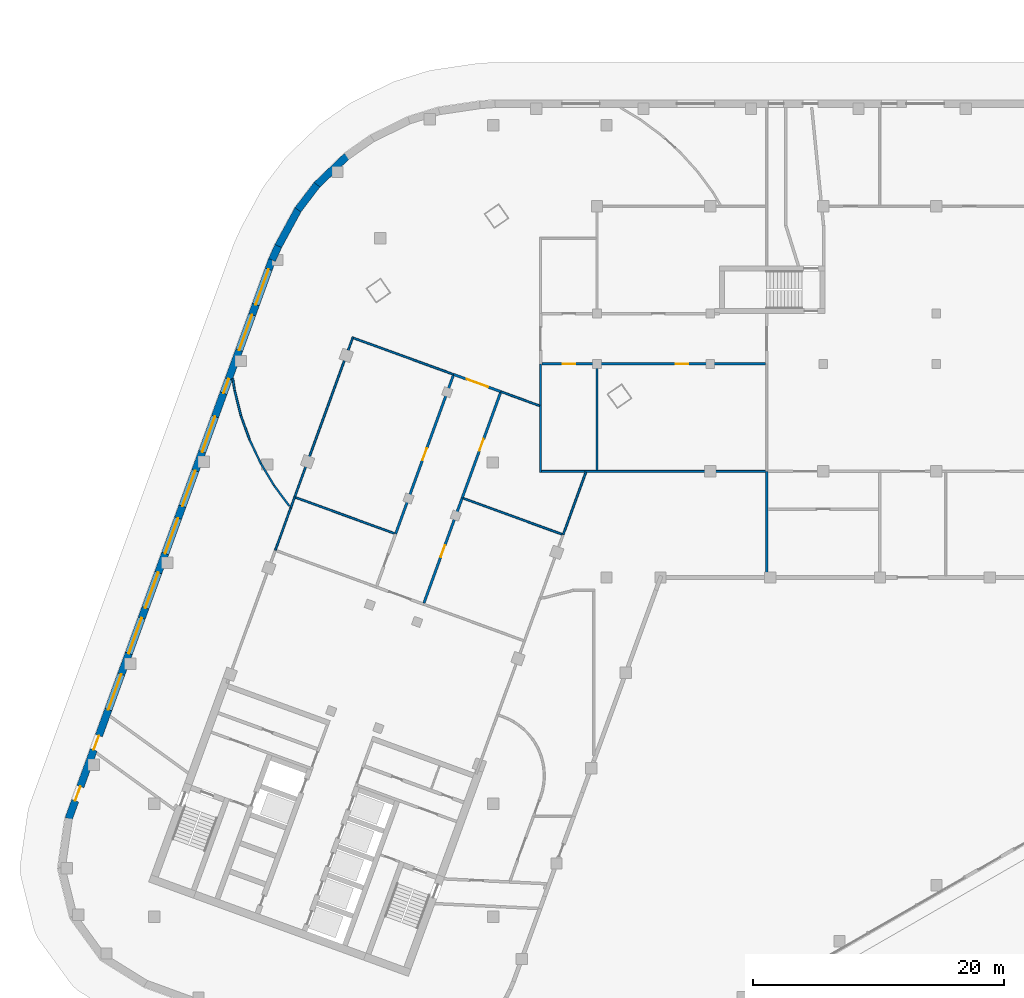
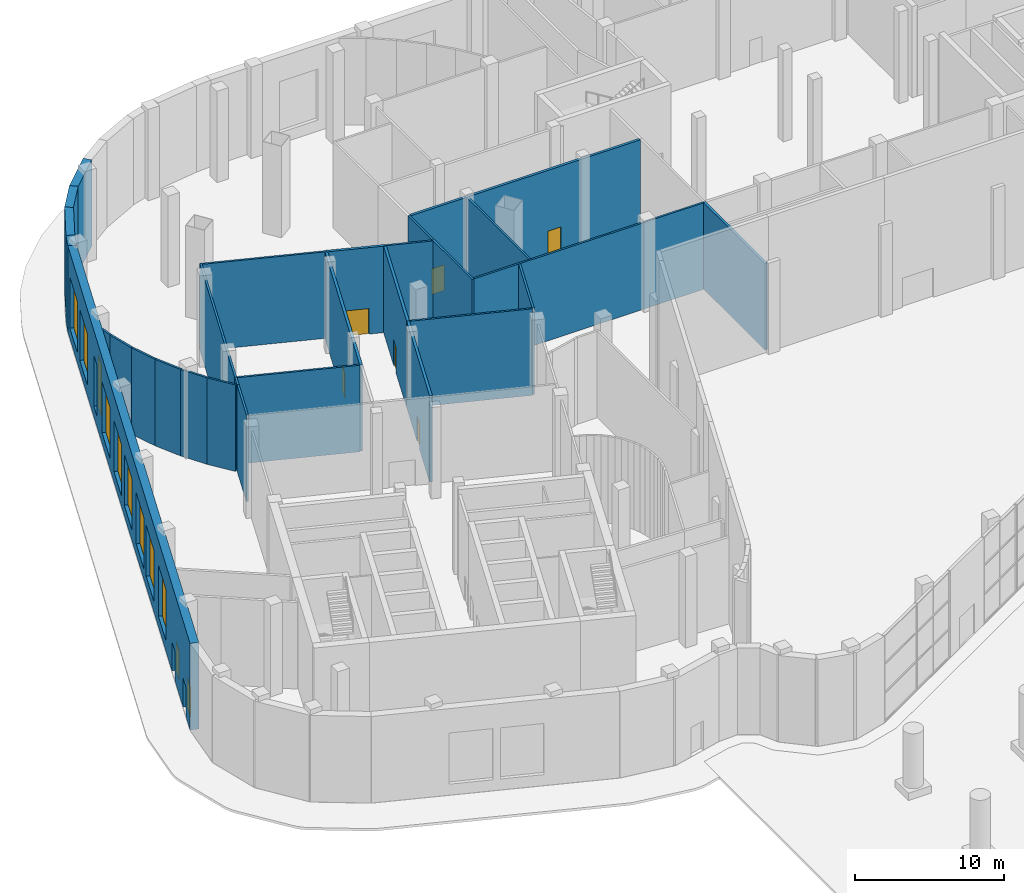
# One storey, part 15 of 30: 28 walls, 9 windows, 8 doors, 17 openings.
"""IFC4 building model written with IfcOpenShell, lengths in metres."""

import ifcopenshell
import ifcopenshell.guid

model = None  # the IFC model being written
_history = None  # IfcOwnerHistory: only IFC2X3 demands one
_inside = {}  # id of a spatial element -> (the spatial element, [elements in it])
_under = {}  # id of a project, library or spatial element -> (it, [spatial elements below it])
_declared = {}  # id of a project -> (the project, [libraries it declares])
_typed = {}  # id of a type object -> (the type object, [elements of that type])
_made_of = {}  # id of a material, layer set ... -> (it, [elements and type objects made of it])


def new_model(schema):
    """Start an empty IFC model of exactly this schema.

    Asked for "IFC4X3", IfcOpenShell would pick the latest addendum, in which some entities
    have other attributes; the version numbers below select the first issue.
    IFC2X3 requires an IfcOwnerHistory on every rooted entity: one is made here for all.
    """
    global model, _history
    if schema == "IFC4X3":
        model = ifcopenshell.file(schema_version=(4, 3, 0, 0))
    else:
        model = ifcopenshell.file(schema=schema)
    _inside.clear()
    _under.clear()
    _declared.clear()
    _typed.clear()
    _made_of.clear()
    _history = None
    if model.schema == "IFC2X3":
        org = make("IfcOrganization", Name="unknown")
        user = make(
            "IfcPersonAndOrganization",
            ThePerson=make("IfcPerson", FamilyName="unknown"),
            TheOrganization=org,
        )
        app = make(
            "IfcApplication",
            ApplicationDeveloper=org,
            Version="unknown",
            ApplicationFullName="unknown",
            ApplicationIdentifier="unknown",
        )
        _history = make(
            "IfcOwnerHistory",
            OwningUser=user,
            OwningApplication=app,
            ChangeAction="ADDED",
            CreationDate=0,
        )
    return model


def make(cls, **values):
    """One entity of the class cls with the attributes given. An attribute that is None is left unset."""
    return model.create_entity(
        cls, **{name: value for name, value in values.items() if value is not None}
    )


def rooted(cls, **values):
    """An entity with a GlobalId (a new one), such as an element, a storey or a relation."""
    return make(cls, GlobalId=ifcopenshell.guid.new(), OwnerHistory=_history, **values)


def si_unit(unit_type, name, prefix=None):
    """IfcSIUnit, for example si_unit("LENGTHUNIT", "METRE", prefix="MILLI")."""
    return make("IfcSIUnit", UnitType=unit_type, Prefix=prefix, Name=name)


def assignment(units):
    """IfcUnitAssignment: the units of a project."""
    return None if units is None else make("IfcUnitAssignment", Units=units)


def point(xyz):
    """IfcCartesianPoint."""
    return None if xyz is None else make("IfcCartesianPoint", Coordinates=xyz)


def direction(xyz):
    """IfcDirection."""
    return None if xyz is None else make("IfcDirection", DirectionRatios=xyz)


def frame(location, z_axis=None, x_axis=None):
    """IfcAxis2Placement3D, a coordinate frame: its origin and axes. An axis left out is left unset."""
    return make(
        "IfcAxis2Placement3D",
        Location=point(location),
        Axis=direction(z_axis),
        RefDirection=direction(x_axis),
    )


def frame_2d(location, x_axis=None):
    """IfcAxis2Placement2D, a coordinate frame in the plane: its origin and x axis."""
    return make(
        "IfcAxis2Placement2D", Location=point(location), RefDirection=direction(x_axis)
    )


def origin():
    """The frame at (0, 0, 0) with its axes left unset."""
    return frame((0.0, 0.0, 0.0))


def place(relative_to, where):
    """IfcLocalPlacement: puts the frame where relative to a parent placement (None: the world)."""
    return make(
        "IfcLocalPlacement", PlacementRelTo=relative_to, RelativePlacement=where
    )


def context(
    kind, dimensions, precision=None, world=None, true_north=None, identifier=None
):
    """IfcGeometricRepresentationContext, for example the 3D "Model" context."""
    return make(
        "IfcGeometricRepresentationContext",
        ContextIdentifier=identifier,
        ContextType=kind,
        CoordinateSpaceDimension=dimensions,
        Precision=precision,
        WorldCoordinateSystem=world,
        TrueNorth=true_north,
    )


def subcontext(parent, identifier, kind, view, scale=None):
    """IfcGeometricRepresentationSubContext, for example "Body" below "Model"."""
    return make(
        "IfcGeometricRepresentationSubContext",
        ContextIdentifier=identifier,
        ContextType=kind,
        ParentContext=parent,
        TargetScale=scale,
        TargetView=view,
    )


def project(units=None, contexts=None):
    """IfcProject with its units and contexts."""
    return rooted(
        "IfcProject",
        Name="project",
        RepresentationContexts=contexts,
        UnitsInContext=assignment(units),
    )


def spatial(cls, under=None, at=None, **own):
    """A site, building, storey or space (cls), placed at a placement, below another one or the project."""
    s = rooted(cls, ObjectPlacement=at, **own)
    if under is not None:
        _under.setdefault(under.id(), (under, []))[1].append(s)
    return s


def profile(cls, at=None, kind="AREA", **sizes):
    """A parametric profile (cls). Its sizes go by their IFC names, for example OverallWidth=200.0."""
    return make(cls, ProfileType=kind, Position=at, **sizes)


def rectangle(**sizes):
    """IfcRectangleProfileDef."""
    return profile("IfcRectangleProfileDef", **sizes)


def extrude(swept, where, along, depth):
    """IfcExtrudedAreaSolid: the profile swept, set in the frame where, extruded along a direction by depth."""
    return make(
        "IfcExtrudedAreaSolid",
        SweptArea=swept,
        Position=where,
        ExtrudedDirection=direction(along),
        Depth=depth,
    )


def shape(context_of_items, identifier, shape_type, items):
    """IfcShapeRepresentation: the items that make up one representation, for example the "Body"."""
    return make(
        "IfcShapeRepresentation",
        ContextOfItems=context_of_items,
        RepresentationIdentifier=identifier,
        RepresentationType=shape_type,
        Items=items,
    )


def material(Name=None, Category=None):
    """IfcMaterial."""
    return make("IfcMaterial", Name=Name, Category=Category)


def layer(
    of_material, thickness, ventilated=None, Name=None, Category=None, Priority=None
):
    """IfcMaterialLayer: one layer of a wall or slab, of a material (None: an air gap)."""
    return make(
        "IfcMaterialLayer",
        Material=of_material,
        LayerThickness=thickness,
        IsVentilated=ventilated,
        Name=Name,
        Category=Category,
        Priority=Priority,
    )


def layer_set(layers, Name=None):
    """IfcMaterialLayerSet."""
    return make("IfcMaterialLayerSet", MaterialLayers=layers, LayerSetName=Name)


def made_of(thing, what):
    """Note that an element or type object is made of a material, layer set ...; save() writes the relation."""
    if what is not None:
        _made_of.setdefault(what.id(), (what, []))[1].append(thing)
    return thing


def type_object(cls, material=None, **own):
    """A type object (cls), such as IfcWallType, which elements share."""
    return made_of(rooted(cls, **own), material)


def element(
    cls,
    number,
    at=None,
    inside=None,
    cuts=None,
    type_object=None,
    material=None,
    context=None,
    identifier="Body",
    shape_type=None,
    held_by="IfcProductDefinitionShape",
    body=None,
    shapes=None,
    **own,
):
    """One element of the class cls, such as IfcWall. Its Tag is "e" and its number.

    at: its placement. inside: the storey or other place that contains it. cuts: it is an
    opening in that element (IfcRelVoidsElement). A single representation is given by context,
    identifier, shape_type and body (its items); several are given by shapes. held_by: the class
    of the entity that holds the representations. save() writes the other relations.
    """
    e = rooted(cls, Tag="e%d" % number, ObjectPlacement=at, **own)
    if body is not None:
        shapes = [shape(context, identifier, shape_type, body)]
    if shapes is not None:
        e.Representation = make(held_by, Representations=shapes)
    if inside is not None:
        _inside.setdefault(inside.id(), (inside, []))[1].append(e)
    if cuts is not None:
        rooted(
            "IfcRelVoidsElement", RelatingBuildingElement=cuts, RelatedOpeningElement=e
        )
    if type_object is not None:
        _typed.setdefault(type_object.id(), (type_object, []))[1].append(e)
    return made_of(e, material)


def fill(opening, filler):
    """IfcRelFillsElement: the door or window that sits in an opening."""
    return rooted(
        "IfcRelFillsElement",
        RelatingOpeningElement=opening,
        RelatedBuildingElement=filler,
    )


def aggregate(whole, parts):
    """IfcRelAggregates: a whole, such as a stair, and the parts it consists of."""
    return rooted("IfcRelAggregates", RelatingObject=whole, RelatedObjects=parts)


def save(model, path):
    """Write the relations noted so far, then the file.

    IfcRelAggregates (storeys below a building ...), IfcRelContainedInSpatialStructure (elements
    in a storey), IfcRelDefinesByType, IfcRelAssociatesMaterial and IfcRelDeclares: one each for
    every whole, place, type object, material and project.
    """
    for whole, parts in _under.values():
        aggregate(whole, parts)
    for where, things in _inside.values():
        rooted(
            "IfcRelContainedInSpatialStructure",
            RelatedElements=things,
            RelatingStructure=where,
        )
    for kind, things in _typed.values():
        rooted("IfcRelDefinesByType", RelatedObjects=things, RelatingType=kind)
    for what, things in _made_of.values():
        rooted("IfcRelAssociatesMaterial", RelatedObjects=things, RelatingMaterial=what)
    for by, libraries in _declared.values():
        rooted("IfcRelDeclares", RelatingContext=by, RelatedDefinitions=libraries)
    model.write(path)


model = new_model("IFC4")

# Units and contexts
model_context = context("Model", 3, precision=1e-05, world=origin(), true_north=direction((0.0, 1.0)))
body_context = subcontext(model_context, "Body", "Model", "MODEL_VIEW")
ifc_project = project(units=[si_unit("LENGTHUNIT", "METRE"), si_unit("AREAUNIT", "SQUARE_METRE"), si_unit("VOLUMEUNIT", "CUBIC_METRE"), si_unit("PLANEANGLEUNIT", "RADIAN"), si_unit("MASSUNIT", "GRAM", prefix="KILO")], contexts=[model_context])

# Site, building, storey
site_placement = place(None, origin())
site = spatial("IfcSite", under=ifc_project, at=site_placement, CompositionType="ELEMENT")
building_placement = place(site_placement, origin())
building = spatial("IfcBuilding", under=site, at=building_placement, Name="Skarvind Civic Tower", CompositionType="ELEMENT")
storey_placement = place(building_placement, origin())
storey = spatial("IfcBuildingStorey", under=building, at=storey_placement, Name="L00", CompositionType="ELEMENT", Elevation=0.0)

# Wall
ifc_material_1 = material(Name="Fire-rated blockwork wall, plastered", Category="masonry")
ifc_layer_1 = layer(ifc_material_1, 0.199951171875)
ifc_layer_set_1 = layer_set([ifc_layer_1], Name="FIRE WALL 200 EI 120")
wall_type_1 = type_object("IfcWallType", Name="FIRE WALL 200 EI 120", PredefinedType="PARTITIONING", material=ifc_layer_set_1)
wall_1_placement = place(storey_placement, frame((67.75, 109.14990234375, 0.0), z_axis=(0.0, 0.0, 1.0), x_axis=(0.0, 1.0, 0.0)))
element("IfcWall", 1, at=wall_1_placement, inside=storey, type_object=wall_type_1, Name="Podium partition L00 096", PredefinedType="PARTITIONING", context=body_context, shape_type="SweptSolid", body=[
    extrude(rectangle(XDim=8.280029296875, YDim=0.199951171875, at=frame_2d((4.14013671875, 0.0))), origin(), (0.0, 0.0, 1.0), 7.10009765625),
])

# Wall, opening, door
ifc_layer_2 = layer(ifc_material_1, 0.199951171875)
ifc_layer_set_2 = layer_set([ifc_layer_2], Name="FIRE WALL 200 EI 60")
wall_type_2 = type_object("IfcWallType", Name="FIRE WALL 200 EI 60", PredefinedType="PARTITIONING", material=ifc_layer_set_2)
wall_2_placement = place(storey_placement, frame((38.220947265625, 112.47412109375, 0.0), z_axis=(0.0, 0.0, 1.0), x_axis=(0.342018071111, 0.939693375008, 0.0)))
wall_2 = element("IfcWall", 2, at=wall_2_placement, inside=storey, type_object=wall_type_2, Name="Podium partition L00 021", PredefinedType="PARTITIONING", context=body_context, shape_type="SweptSolid", body=[
    extrude(rectangle(XDim=13.39990234375, YDim=0.199951171875, at=frame_2d((6.699951171875, 0.0))), origin(), (0.0, 0.0, 1.0), 7.10009765625),
])
opening_1_placement = place(wall_2_placement, frame((6.248046875, 0.0, 0.0)))
opening_1 = element("IfcOpeningElement", 3, at=opening_1_placement, cuts=wall_2, Name="Opening L00-D203", PredefinedType="OPENING", context=body_context, shape_type="SweptSolid", body=[
    extrude(rectangle(XDim=1.0, YDim=2.10009765625, at=frame_2d((0.5, 1.050048828125))), frame((0.0, 0.10986328125, 0.0), z_axis=(0.0, -1.0, 0.0), x_axis=(1.0, 0.0, 0.0)), (0.0, 0.0, 1.0), 0.219970703125),
])
ifc_material_2 = material(Name="Painted steel fire door leaf", Category="steel")
door_type_1 = type_object("IfcDoorType", Name="FIRE DOOR 1000X2100 STEEL", OperationType="NOTDEFINED", PredefinedType="DOOR", material=ifc_material_2)
door_1_placement = place(opening_1_placement, origin())
door_1 = element("IfcDoor", 4, at=door_1_placement, inside=storey, type_object=door_type_1, Name="FIRE DOOR", OperationType="SINGLE_SWING_RIGHT", OverallHeight=2.10009765625, OverallWidth=1.0, PredefinedType="DOOR", context=body_context, shape_type="SweptSolid", body=[
    extrude(rectangle(XDim=1.0, YDim=2.10009765625, at=frame_2d((0.5, 1.050048828125))), frame((0.0, 0.02490234375, 0.0), z_axis=(0.0, -1.0, 0.0), x_axis=(1.0, 0.0, 0.0)), (0.0, 0.0, 1.0), 0.050048828125),
])
fill(opening_1, door_1)

wall_3_placement = place(storey_placement, frame((43.51904296875, 115.3349609375, 0.0), z_axis=(0.0, 0.0, 1.0), x_axis=(-0.342121866134, -0.939655590476, 0.0)))
wall_3 = element("IfcWall", 5, at=wall_3_placement, inside=storey, type_object=wall_type_2, Name="Podium partition L00 022", PredefinedType="PARTITIONING", context=body_context, shape_type="SweptSolid", body=[
    extrude(rectangle(XDim=8.900146484375, YDim=0.199951171875, at=frame_2d((4.4501953125, 0.0))), origin(), (0.0, 0.0, 1.0), 7.10009765625),
])
opening_2_placement = place(wall_3_placement, frame((3.998046875, 0.0, 0.0)))
opening_2 = element("IfcOpeningElement", 6, at=opening_2_placement, cuts=wall_3, Name="Opening L00-D204", PredefinedType="OPENING", context=body_context, shape_type="SweptSolid", body=[
    extrude(rectangle(XDim=1.0, YDim=2.10009765625, at=frame_2d((0.5, 1.050048828125))), frame((0.0, 0.10986328125, 0.0), z_axis=(0.0, -1.0, 0.0), x_axis=(1.0, 0.0, 0.0)), (0.0, 0.0, 1.0), 0.219970703125),
])
door_2_placement = place(opening_2_placement, origin())
door_2 = element("IfcDoor", 7, at=door_2_placement, inside=storey, type_object=door_type_1, Name="FIRE DOOR", OperationType="SINGLE_SWING_LEFT", OverallHeight=2.10009765625, OverallWidth=1.0, PredefinedType="DOOR", context=body_context, shape_type="SweptSolid", body=[
    extrude(rectangle(XDim=1.0, YDim=2.10009765625, at=frame_2d((0.5, 1.050048828125))), frame((0.0, 0.02490234375, 0.0), z_axis=(0.0, -1.0, 0.0), x_axis=(1.0, 0.0, 0.0)), (0.0, 0.0, 1.0), 0.050048828125),
])
fill(opening_2, door_2)

wall_4_placement = place(storey_placement, frame((42.837890625, 125.159912109375, 0.0), z_axis=(0.0, 0.0, 1.0), x_axis=(0.939713209288, -0.341963571582, 0.0)))
wall_4 = element("IfcWall", 8, at=wall_4_placement, inside=storey, type_object=wall_type_2, Name="Podium partition L00 026", PredefinedType="PARTITIONING", context=body_context, shape_type="SweptSolid", body=[
    extrude(rectangle(XDim=4.000244140625, YDim=0.199951171875, at=frame_2d((2.0, 0.0))), origin(), (0.0, 0.0, 1.0), 7.10009765625),
])
opening_3_placement = place(wall_4_placement, frame((1.10009765625, 0.0, 0.0)))
opening_3 = element("IfcOpeningElement", 9, at=opening_3_placement, cuts=wall_4, Name="Opening L00-D206", PredefinedType="OPENING", context=body_context, shape_type="SweptSolid", body=[
    extrude(rectangle(XDim=1.800048828125, YDim=2.10009765625, at=frame_2d((0.89990234375, 1.050048828125))), frame((0.0, 0.10986328125, 0.0), z_axis=(0.0, -1.0, 0.0), x_axis=(1.0, 0.0, 0.0)), (0.0, 0.0, 1.0), 0.219970703125),
])
door_type_2 = type_object("IfcDoorType", Name="FIRE DOOR 1800X2100 DOUBLE STEEL", OperationType="NOTDEFINED", PredefinedType="DOOR", material=ifc_material_2)
door_3_placement = place(opening_3_placement, origin())
door_3 = element("IfcDoor", 10, at=door_3_placement, inside=storey, type_object=door_type_2, Name="FIRE DOOR", OperationType="DOUBLE_DOOR_SINGLE_SWING", OverallHeight=2.10009765625, OverallWidth=1.800048828125, PredefinedType="DOOR", context=body_context, shape_type="SweptSolid", body=[
    extrude(rectangle(XDim=1.800048828125, YDim=2.10009765625, at=frame_2d((0.89990234375, 1.050048828125))), frame((0.0, 0.02490234375, 0.0), z_axis=(0.0, -1.0, 0.0), x_axis=(1.0, 0.0, 0.0)), (0.0, 0.0, 1.0), 0.050048828125),
])
fill(opening_3, door_3)

wall_5_placement = place(storey_placement, frame((46.56298828125, 123.697998046875, 0.0), z_axis=(0.0, 0.0, 1.0), x_axis=(-0.342024978895, -0.939690860768, 0.0)))
wall_5 = element("IfcWall", 11, at=wall_5_placement, inside=storey, type_object=wall_type_2, Name="Podium partition L00 027", PredefinedType="PARTITIONING", context=body_context, shape_type="SweptSolid", body=[
    extrude(rectangle(XDim=8.899658203125, YDim=0.199951171875, at=frame_2d((4.44970703125, 0.0))), origin(), (0.0, 0.0, 1.0), 7.10009765625),
])
opening_4_placement = place(wall_5_placement, frame((3.902099609375, 0.0, 0.0)))
opening_4 = element("IfcOpeningElement", 12, at=opening_4_placement, cuts=wall_5, Name="Opening L00-D207", PredefinedType="OPENING", context=body_context, shape_type="SweptSolid", body=[
    extrude(rectangle(XDim=1.0, YDim=2.10009765625, at=frame_2d((0.5, 1.050048828125))), frame((0.0, 0.10986328125, 0.0), z_axis=(0.0, -1.0, 0.0), x_axis=(1.0, 0.0, 0.0)), (0.0, 0.0, 1.0), 0.219970703125),
])
door_4_placement = place(opening_4_placement, origin())
door_4 = element("IfcDoor", 13, at=door_4_placement, inside=storey, type_object=door_type_1, Name="FIRE DOOR", OperationType="SINGLE_SWING_RIGHT", OverallHeight=2.10009765625, OverallWidth=1.0, PredefinedType="DOOR", context=body_context, shape_type="SweptSolid", body=[
    extrude(rectangle(XDim=1.0, YDim=2.10009765625, at=frame_2d((0.5, 1.050048828125))), frame((0.0, 0.02490234375, 0.0), z_axis=(0.0, -1.0, 0.0), x_axis=(1.0, 0.0, 0.0)), (0.0, 0.0, 1.0), 0.050048828125),
])
fill(opening_4, door_4)

# Wall, openings, doors
wall_6_placement = place(storey_placement, frame((67.64990234375, 126.0, 0.0), z_axis=(0.0, 0.0, 1.0), x_axis=(-1.0, 0.0, 0.0)))
wall_6 = element("IfcWall", 14, at=wall_6_placement, inside=storey, type_object=wall_type_2, Name="Podium partition L00 065", PredefinedType="PARTITIONING", context=body_context, shape_type="SweptSolid", body=[
    extrude(rectangle(XDim=17.7998046875, YDim=0.199951171875, at=frame_2d((8.89990234375, 0.0))), origin(), (0.0, 0.0, 1.0), 7.10009765625),
])
opening_5_placement = place(wall_6_placement, frame((15.14794921875, 0.0, 0.0)))
opening_5 = element("IfcOpeningElement", 15, at=opening_5_placement, cuts=wall_6, Name="Opening L00-D212", PredefinedType="OPENING", context=body_context, shape_type="SweptSolid", body=[
    extrude(rectangle(XDim=1.0, YDim=2.10009765625, at=frame_2d((0.5, 1.050048828125))), frame((0.0, 0.10986328125, 0.0), z_axis=(0.0, -1.0, 0.0), x_axis=(1.0, 0.0, 0.0)), (0.0, 0.0, 1.0), 0.219970703125),
])
opening_6_placement = place(wall_6_placement, frame((6.152099609375, 0.0, 0.0)))
opening_6 = element("IfcOpeningElement", 16, at=opening_6_placement, cuts=wall_6, Name="Opening L00-D216", PredefinedType="OPENING", context=body_context, shape_type="SweptSolid", body=[
    extrude(rectangle(XDim=1.0, YDim=2.10009765625, at=frame_2d((0.5, 1.050048828125))), frame((0.0, 0.10986328125, 0.0), z_axis=(0.0, -1.0, 0.0), x_axis=(1.0, 0.0, 0.0)), (0.0, 0.0, 1.0), 0.219970703125),
])
door_5_placement = place(opening_5_placement, origin())
door_5 = element("IfcDoor", 17, at=door_5_placement, inside=storey, type_object=door_type_1, Name="FIRE DOOR", OperationType="SINGLE_SWING_RIGHT", OverallHeight=2.10009765625, OverallWidth=1.0, PredefinedType="DOOR", context=body_context, shape_type="SweptSolid", body=[
    extrude(rectangle(XDim=1.0, YDim=2.10009765625, at=frame_2d((0.5, 1.050048828125))), frame((0.0, 0.02490234375, 0.0), z_axis=(0.0, -1.0, 0.0), x_axis=(1.0, 0.0, 0.0)), (0.0, 0.0, 1.0), 0.050048828125),
])
fill(opening_5, door_5)
door_6_placement = place(opening_6_placement, origin())
door_6 = element("IfcDoor", 18, at=door_6_placement, inside=storey, type_object=door_type_1, Name="FIRE DOOR", OperationType="SINGLE_SWING_LEFT", OverallHeight=2.10009765625, OverallWidth=1.0, PredefinedType="DOOR", context=body_context, shape_type="SweptSolid", body=[
    extrude(rectangle(XDim=1.0, YDim=2.10009765625, at=frame_2d((0.5, 1.050048828125))), frame((0.0, 0.02490234375, 0.0), z_axis=(0.0, -1.0, 0.0), x_axis=(1.0, 0.0, 0.0)), (0.0, 0.0, 1.0), 0.050048828125),
])
fill(opening_6, door_6)

# Walls
ifc_material_3 = material(Name="Plasterboard partition on steel studs", Category="steel")
ifc_layer_3 = layer(ifc_material_3, 0.14990234375)
ifc_layer_set_3 = layer_set([ifc_layer_3], Name="PARTITION 150")
wall_type_3 = type_object("IfcWallType", Name="PARTITION 150", PredefinedType="PARTITIONING", material=ifc_layer_set_3)
wall_7_placement = place(storey_placement, frame((25.26611328125, 124.8310546875, 0.0), z_axis=(0.0, 0.0, 1.0), x_axis=(0.147402970256, -0.989076520983, 0.0)))
element("IfcWall", 19, at=wall_7_placement, inside=storey, type_object=wall_type_3, Name="Podium partition L00 006", PredefinedType="PARTITIONING", context=body_context, shape_type="SweptSolid", body=[
    extrude(rectangle(XDim=0.9423828125, YDim=0.14990234375, at=frame_2d((0.47119140625, 0.0))), origin(), (0.0, 0.0, 1.0), 7.10009765625),
])
wall_8_placement = place(storey_placement, frame((25.403076171875, 123.906982421875, 0.0), z_axis=(0.0, 0.0, 1.0), x_axis=(0.24261892201, -0.970121672102, 0.0)))
element("IfcWall", 20, at=wall_8_placement, inside=storey, type_object=wall_type_3, Name="Podium partition L00 007", PredefinedType="PARTITIONING", context=body_context, shape_type="SweptSolid", body=[
    extrude(rectangle(XDim=2.06884765625, YDim=0.14990234375, at=frame_2d((1.034423828125, 0.0))), origin(), (0.0, 0.0, 1.0), 7.10009765625),
])
wall_9_placement = place(storey_placement, frame((25.903076171875, 121.906982421875, 0.0), z_axis=(0.0, 0.0, 1.0), x_axis=(0.337196677173, -0.941434225479, 0.0)))
element("IfcWall", 21, at=wall_9_placement, inside=storey, type_object=wall_type_3, Name="Podium partition L00 008", PredefinedType="PARTITIONING", context=body_context, shape_type="SweptSolid", body=[
    extrude(rectangle(XDim=2.067138671875, YDim=0.14990234375, at=frame_2d((1.03369140625, 0.0))), origin(), (0.0, 0.0, 1.0), 7.10009765625),
])
for number, where, z_axis, x_axis, name in (
    (22, (26.596923828125, 119.967041015625, 0.0), (0.0, 0.0, 1.0), (0.42793917446, -0.90380753646, 0.0), "Podium partition L00 009"),
    (23, (27.47802734375, 118.10400390625, 0.0), (0.0, 0.0, 1.0), (0.514009565734, -0.857784452141, 0.0), "Podium partition L00 010"),
):
    element("IfcWall", number, at=place(storey_placement, frame(where, z_axis=z_axis, x_axis=x_axis)), inside=storey, type_object=wall_type_3, Name=name, PredefinedType="PARTITIONING", context=body_context, shape_type="SweptSolid", body=[
        extrude(rectangle(XDim=2.068115234375, YDim=0.14990234375, at=frame_2d((1.0341796875, 0.0))), origin(), (0.0, 0.0, 1.0), 7.10009765625),
    ])
wall_10_placement = place(storey_placement, frame((28.537109375, 116.3359375, 0.0), z_axis=(0.0, 0.0, 1.0), x_axis=(0.595741297031, -0.80317638599, 0.0)))
element("IfcWall", 24, at=wall_10_placement, inside=storey, type_object=wall_type_3, Name="Podium partition L00 011", PredefinedType="PARTITIONING", context=body_context, shape_type="SweptSolid", body=[
    extrude(rectangle(XDim=2.06787109375, YDim=0.14990234375, at=frame_2d((1.033935546875, 0.0))), origin(), (0.0, 0.0, 1.0), 7.10009765625),
])
wall_11_placement = place(storey_placement, frame((28.64697265625, 111.169921875, 0.0), z_axis=(0.0, 0.0, 1.0), x_axis=(0.341993373756, 0.939702363681, 0.0)))
element("IfcWall", 25, at=wall_11_placement, inside=storey, type_object=wall_type_3, Name="Podium partition L00 012", PredefinedType="PARTITIONING", context=body_context, shape_type="SweptSolid", body=[
    extrude(rectangle(XDim=3.602294921875, YDim=0.14990234375, at=frame_2d((1.80126953125, 0.0))), origin(), (0.0, 0.0, 1.0), 7.10009765625),
])
wall_12_placement = place(storey_placement, frame((29.87890625, 114.554931640625, 0.0), z_axis=(0.0, 0.0, 1.0), x_axis=(0.341961311006, 0.939714031914, 0.0)))
element("IfcWall", 26, at=wall_12_placement, inside=storey, type_object=wall_type_3, Name="Podium partition L00 015", PredefinedType="PARTITIONING", context=body_context, shape_type="SweptSolid", body=[
    extrude(rectangle(XDim=0.898193359375, YDim=0.14990234375, at=frame_2d((0.44921875, 0.0))), origin(), (0.0, 0.0, 1.0), 7.10009765625),
])
wall_13_placement = place(storey_placement, frame((30.18603515625, 115.39892578125, 0.0), z_axis=(0.0, 0.0, 1.0), x_axis=(0.342121388632, 0.939655764331, 0.0)))
element("IfcWall", 27, at=wall_13_placement, inside=storey, type_object=wall_type_3, Name="Podium partition L00 016", PredefinedType="PARTITIONING", context=body_context, shape_type="SweptSolid", body=[
    extrude(rectangle(XDim=13.57421875, YDim=0.14990234375, at=frame_2d((6.787109375, 0.0))), origin(), (0.0, 0.0, 1.0), 7.10009765625),
])
wall_14_placement = place(storey_placement, frame((30.256103515625, 115.373046875, 0.0), z_axis=(0.0, 0.0, 1.0), x_axis=(0.939683593483, -0.342044944618, 0.0)))
element("IfcWall", 28, at=wall_14_placement, inside=storey, type_object=wall_type_3, Name="Podium partition L00 017", PredefinedType="PARTITIONING", context=body_context, shape_type="SweptSolid", body=[
    extrude(rectangle(XDim=8.3759765625, YDim=0.14990234375, at=frame_2d((4.18798828125, 0.0))), origin(), (0.0, 0.0, 1.0), 7.10009765625),
])
wall_15_placement = place(storey_placement, frame((34.8740234375, 128.05810546875, 0.0), z_axis=(0.0, 0.0, 1.0), x_axis=(0.939708443164, -0.341976668571, 0.0)))
element("IfcWall", 29, at=wall_15_placement, inside=storey, type_object=wall_type_3, Name="Podium partition L00 018", PredefinedType="PARTITIONING", context=body_context, shape_type="SweptSolid", body=[
    extrude(rectangle(XDim=8.474853515625, YDim=0.14990234375, at=frame_2d((4.2373046875, 0.0))), origin(), (0.0, 0.0, 1.0), 7.10009765625),
])
wall_16_placement = place(storey_placement, frame((43.613037109375, 115.301025390625, 0.0), z_axis=(0.0, 0.0, 1.0), x_axis=(0.93970742794, -0.341979458265, 0.0)))
element("IfcWall", 30, at=wall_16_placement, inside=storey, type_object=wall_type_3, Name="Podium partition L00 028", PredefinedType="PARTITIONING", context=body_context, shape_type="SweptSolid", body=[
    extrude(rectangle(XDim=8.374755859375, YDim=0.14990234375, at=frame_2d((4.1875, 0.0))), origin(), (0.0, 0.0, 1.0), 7.10009765625),
])
wall_17_placement = place(storey_placement, frame((46.596923828125, 123.7919921875, 0.0), z_axis=(0.0, 0.0, 1.0), x_axis=(0.939619227089, -0.342221723572, 0.0)))
element("IfcWall", 31, at=wall_17_placement, inside=storey, type_object=wall_type_3, Name="Podium partition L00 039", PredefinedType="PARTITIONING", context=body_context, shape_type="SweptSolid", body=[
    extrude(rectangle(XDim=3.27587890625, YDim=0.14990234375, at=frame_2d((1.637939453125, 0.0))), origin(), (0.0, 0.0, 1.0), 7.10009765625),
])
wall_18_placement = place(storey_placement, frame((49.75, 117.375, 0.0), z_axis=(0.0, 0.0, 1.0), x_axis=(0.0, 1.0, 0.0)))
element("IfcWall", 32, at=wall_18_placement, inside=storey, type_object=wall_type_3, Name="Podium partition L00 062", PredefinedType="PARTITIONING", context=body_context, shape_type="SweptSolid", body=[
    extrude(rectangle(XDim=8.625, YDim=0.14990234375, at=frame_2d((4.3125, 0.0))), origin(), (0.0, 0.0, 1.0), 7.10009765625),
])
wall_19_placement = place(storey_placement, frame((49.824951171875, 117.449951171875, 0.0), z_axis=(0.0, 0.0, 1.0), x_axis=(1.0, 0.0, 0.0)))
element("IfcWall", 33, at=wall_19_placement, inside=storey, type_object=wall_type_3, Name="Podium partition L00 063", PredefinedType="PARTITIONING", context=body_context, shape_type="SweptSolid", body=[
    extrude(rectangle(XDim=17.925048828125, YDim=0.14990234375, at=frame_2d((8.96240234375, 0.0))), origin(), (0.0, 0.0, 1.0), 7.10009765625),
])
wall_20_placement = place(storey_placement, frame((51.552978515625, 112.410888671875, 0.0), z_axis=(0.0, 0.0, 1.0), x_axis=(0.342076997639, 0.93967192556, 0.0)))
element("IfcWall", 34, at=wall_20_placement, inside=storey, type_object=wall_type_3, Name="Podium partition L00 078", PredefinedType="PARTITIONING", context=body_context, shape_type="SweptSolid", body=[
    extrude(rectangle(XDim=5.28271484375, YDim=0.14990234375, at=frame_2d((2.641357421875, 0.0))), origin(), (0.0, 0.0, 1.0), 7.10009765625),
])
wall_21_placement = place(storey_placement, frame((54.25, 117.52490234375, 0.0), z_axis=(0.0, 0.0, 1.0), x_axis=(0.0, 1.0, 0.0)))
element("IfcWall", 35, at=wall_21_placement, inside=storey, type_object=wall_type_3, Name="Podium partition L00 085", PredefinedType="PARTITIONING", context=body_context, shape_type="SweptSolid", body=[
    extrude(rectangle(XDim=8.375, YDim=0.14990234375, at=frame_2d((4.1875, 0.0))), origin(), (0.0, 0.0, 1.0), 7.10009765625),
])
ifc_material_4 = material(Name="Limestone masonry cladding on insulated backing", Category="masonry")
ifc_layer_4 = layer(ifc_material_4, 0.60009765625)
ifc_layer_set_4 = layer_set([ifc_layer_4], Name="WX1 STONE FACADE WALL 600")
wall_type_4 = type_object("IfcWallType", Name="WX1 STONE FACADE WALL 600", PredefinedType="SOLIDWALL", material=ifc_layer_set_4)
wall_22_placement = place(storey_placement, frame((31.931884765625, 140.226318359375, 0.0), z_axis=(0.0, 0.0, 1.0), x_axis=(0.721175568195, 0.692752336581, 0.0)))
element("IfcWall", 36, at=wall_22_placement, inside=storey, type_object=wall_type_4, Name="STONE FACADE WALL", PredefinedType="SOLIDWALL", context=body_context, shape_type="SweptSolid", body=[
    extrude(rectangle(XDim=3.34130859375, YDim=0.60009765625, at=frame_2d((1.670654296875, 0.0))), origin(), (0.0, 0.0, 1.0), 7.10009765625),
])
wall_23_placement = place(storey_placement, frame((30.440673828125, 138.26318359375, 0.0), z_axis=(0.0, 0.0, 1.0), x_axis=(0.606110577383, 0.795380392004, 0.0)))
element("IfcWall", 37, at=wall_23_placement, inside=storey, type_object=wall_type_4, Name="STONE FACADE WALL", PredefinedType="SOLIDWALL", context=body_context, shape_type="SweptSolid", body=[
    extrude(rectangle(XDim=2.511474609375, YDim=0.60009765625, at=frame_2d((1.255859375, 0.0))), origin(), (0.0, 0.0, 1.0), 7.10009765625),
])
wall_24_placement = place(storey_placement, frame((28.8701171875, 135.35791015625, 0.0), z_axis=(0.0, 0.0, 1.0), x_axis=(0.476510950298, 0.879168535746, 0.0)))
element("IfcWall", 38, at=wall_24_placement, inside=storey, type_object=wall_type_4, Name="STONE FACADE WALL", PredefinedType="SOLIDWALL", context=body_context, shape_type="SweptSolid", body=[
    extrude(rectangle(XDim=3.3486328125, YDim=0.60009765625, at=frame_2d((1.67431640625, 0.0))), origin(), (0.0, 0.0, 1.0), 7.10009765625),
])
wall_25_placement = place(storey_placement, frame((28.380615234375, 134.268310546875, 0.0), z_axis=(0.0, 0.0, 1.0), x_axis=(0.410322962362, 0.911940275763, 0.0)))
element("IfcWall", 39, at=wall_25_placement, inside=storey, type_object=wall_type_4, Name="STONE FACADE WALL", PredefinedType="SOLIDWALL", context=body_context, shape_type="SweptSolid", body=[
    extrude(rectangle(XDim=1.216796875, YDim=0.60009765625, at=frame_2d((0.6083984375, 0.0))), origin(), (0.0, 0.0, 1.0), 7.10009765625),
])

# Wall, openings, doors, windows
ifc_layer_5 = layer(ifc_material_4, 0.60009765625)
ifc_layer_set_5 = layer_set([ifc_layer_5], Name="WX1F FIRE-RATED STONE FACADE WALL 600")
wall_type_5 = type_object("IfcWallType", Name="WX1F FIRE-RATED STONE FACADE WALL 600", PredefinedType="SOLIDWALL", material=ifc_layer_set_5)
wall_26_placement = place(storey_placement, frame((12.199462890625, 89.80908203125, 0.0), z_axis=(0.0, 0.0, 1.0), x_axis=(0.342022998908, 0.939691581434, 0.0)))
wall_26 = element("IfcWall", 40, at=wall_26_placement, inside=storey, type_object=wall_type_5, Name="STONE FACADE WALL", PredefinedType="SOLIDWALL", context=body_context, shape_type="SweptSolid", body=[
    extrude(rectangle(XDim=47.33447265625, YDim=0.60009765625, at=frame_2d((23.667236328125, 0.0))), origin(), (0.0, 0.0, 1.0), 7.10009765625),
])
opening_7_placement = place(wall_26_placement, frame((1.52294921875, 0.0, 0.0)))
opening_7 = element("IfcOpeningElement", 41, at=opening_7_placement, cuts=wall_26, Name="Opening DX2", PredefinedType="OPENING", context=body_context, shape_type="SweptSolid", body=[
    extrude(rectangle(XDim=1.199951171875, YDim=2.39990234375, at=frame_2d((0.60009765625, 1.199951171875))), frame((0.0, 0.31005859375, 0.0), z_axis=(0.0, -1.0, 0.0), x_axis=(1.0, 0.0, 0.0)), (0.0, 0.0, 1.0), 0.6201171875),
])
opening_8_placement = place(wall_26_placement, frame((5.828857421875, 0.0, 0.0)))
opening_8 = element("IfcOpeningElement", 42, at=opening_8_placement, cuts=wall_26, Name="Opening DX2", PredefinedType="OPENING", context=body_context, shape_type="SweptSolid", body=[
    extrude(rectangle(XDim=1.199951171875, YDim=2.39990234375, at=frame_2d((0.60009765625, 1.199951171875))), frame((0.0, 0.31005859375, 0.0), z_axis=(0.0, -1.0, 0.0), x_axis=(1.0, 0.0, 0.0)), (0.0, 0.0, 1.0), 0.6201171875),
])
opening_9_placement = place(wall_26_placement, frame((9.234619140625, 0.0, 0.89990234375)))
opening_9 = element("IfcOpeningElement", 43, at=opening_9_placement, cuts=wall_26, Name="Opening WN3", PredefinedType="OPENING", context=body_context, shape_type="SweptSolid", body=[
    extrude(rectangle(XDim=3.0, YDim=4.199951171875, at=frame_2d((1.5, 2.10009765625))), frame((0.0, 0.31005859375, 0.0), z_axis=(0.0, -1.0, 0.0), x_axis=(1.0, 0.0, 0.0)), (0.0, 0.0, 1.0), 0.6201171875),
])
opening_10_placement = place(wall_26_placement, frame((13.990478515625, 0.0, 0.89990234375)))
opening_10 = element("IfcOpeningElement", 44, at=opening_10_placement, cuts=wall_26, Name="Opening WN3", PredefinedType="OPENING", context=body_context, shape_type="SweptSolid", body=[
    extrude(rectangle(XDim=3.0, YDim=4.199951171875, at=frame_2d((1.5, 2.10009765625))), frame((0.0, 0.31005859375, 0.0), z_axis=(0.0, -1.0, 0.0), x_axis=(1.0, 0.0, 0.0)), (0.0, 0.0, 1.0), 0.6201171875),
])
opening_11_placement = place(wall_26_placement, frame((17.84619140625, 0.0, 0.89990234375)))
opening_11 = element("IfcOpeningElement", 45, at=opening_11_placement, cuts=wall_26, Name="Opening WN3", PredefinedType="OPENING", context=body_context, shape_type="SweptSolid", body=[
    extrude(rectangle(XDim=3.0, YDim=4.199951171875, at=frame_2d((1.5, 2.10009765625))), frame((0.0, 0.31005859375, 0.0), z_axis=(0.0, -1.0, 0.0), x_axis=(1.0, 0.0, 0.0)), (0.0, 0.0, 1.0), 0.6201171875),
])
opening_12_placement = place(wall_26_placement, frame((22.4521484375, 0.0, 0.89990234375)))
opening_12 = element("IfcOpeningElement", 46, at=opening_12_placement, cuts=wall_26, Name="Opening WN3", PredefinedType="OPENING", context=body_context, shape_type="SweptSolid", body=[
    extrude(rectangle(XDim=3.0, YDim=4.199951171875, at=frame_2d((1.5, 2.10009765625))), frame((0.0, 0.31005859375, 0.0), z_axis=(0.0, -1.0, 0.0), x_axis=(1.0, 0.0, 0.0)), (0.0, 0.0, 1.0), 0.6201171875),
])
opening_13_placement = place(wall_26_placement, frame((26.4580078125, 0.0, 0.89990234375)))
opening_13 = element("IfcOpeningElement", 47, at=opening_13_placement, cuts=wall_26, Name="Opening WN3", PredefinedType="OPENING", context=body_context, shape_type="SweptSolid", body=[
    extrude(rectangle(XDim=3.0, YDim=4.199951171875, at=frame_2d((1.5, 2.10009765625))), frame((0.0, 0.31005859375, 0.0), z_axis=(0.0, -1.0, 0.0), x_axis=(1.0, 0.0, 0.0)), (0.0, 0.0, 1.0), 0.6201171875),
])
opening_14_placement = place(wall_26_placement, frame((31.063720703125, 0.0, 0.89990234375)))
opening_14 = element("IfcOpeningElement", 48, at=opening_14_placement, cuts=wall_26, Name="Opening WN3", PredefinedType="OPENING", context=body_context, shape_type="SweptSolid", body=[
    extrude(rectangle(XDim=3.0, YDim=4.199951171875, at=frame_2d((1.5, 2.10009765625))), frame((0.0, 0.31005859375, 0.0), z_axis=(0.0, -1.0, 0.0), x_axis=(1.0, 0.0, 0.0)), (0.0, 0.0, 1.0), 0.6201171875),
])
opening_15_placement = place(wall_26_placement, frame((36.02880859375, 0.0, 0.89990234375)))
opening_15 = element("IfcOpeningElement", 49, at=opening_15_placement, cuts=wall_26, Name="Opening WN7", PredefinedType="OPENING", context=body_context, shape_type="SweptSolid", body=[
    extrude(rectangle(XDim=1.199951171875, YDim=4.199951171875, at=frame_2d((0.60009765625, 2.10009765625))), frame((0.0, 0.31005859375, 0.0), z_axis=(0.0, -1.0, 0.0), x_axis=(1.0, 0.0, 0.0)), (0.0, 0.0, 1.0), 0.6201171875),
])
opening_16_placement = place(wall_26_placement, frame((39.675537109375, 0.0, 0.89990234375)))
opening_16 = element("IfcOpeningElement", 50, at=opening_16_placement, cuts=wall_26, Name="Opening WN3", PredefinedType="OPENING", context=body_context, shape_type="SweptSolid", body=[
    extrude(rectangle(XDim=3.0, YDim=4.199951171875, at=frame_2d((1.5, 2.10009765625))), frame((0.0, 0.31005859375, 0.0), z_axis=(0.0, -1.0, 0.0), x_axis=(1.0, 0.0, 0.0)), (0.0, 0.0, 1.0), 0.6201171875),
])
opening_17_placement = place(wall_26_placement, frame((43.531494140625, 0.0, 0.89990234375)))
opening_17 = element("IfcOpeningElement", 51, at=opening_17_placement, cuts=wall_26, Name="Opening WN3", PredefinedType="OPENING", context=body_context, shape_type="SweptSolid", body=[
    extrude(rectangle(XDim=3.0, YDim=4.199951171875, at=frame_2d((1.5, 2.10009765625))), frame((0.0, 0.31005859375, 0.0), z_axis=(0.0, -1.0, 0.0), x_axis=(1.0, 0.0, 0.0)), (0.0, 0.0, 1.0), 0.6201171875),
])
ifc_material_5 = material(Name="Timber and glass doorset", Category="wood")
door_type_3 = type_object("IfcDoorType", Name="DX2 EXIT DOOR 1200 x 2400", OperationType="NOTDEFINED", PredefinedType="DOOR", material=ifc_material_5)
door_7_placement = place(opening_7_placement, origin())
door_7 = element("IfcDoor", 52, at=door_7_placement, inside=storey, type_object=door_type_3, Name="EXIT DOOR", OperationType="SINGLE_SWING_LEFT", OverallHeight=2.39990234375, OverallWidth=1.199951171875, PredefinedType="DOOR", context=body_context, shape_type="SweptSolid", body=[
    extrude(rectangle(XDim=1.199951171875, YDim=2.39990234375, at=frame_2d((0.60009765625, 1.199951171875))), frame((0.0, 0.02490234375, 0.0), z_axis=(0.0, -1.0, 0.0), x_axis=(1.0, 0.0, 0.0)), (0.0, 0.0, 1.0), 0.050048828125),
])
fill(opening_7, door_7)
door_8_placement = place(opening_8_placement, origin())
door_8 = element("IfcDoor", 53, at=door_8_placement, inside=storey, type_object=door_type_3, Name="EXIT DOOR", OperationType="SINGLE_SWING_RIGHT", OverallHeight=2.39990234375, OverallWidth=1.199951171875, PredefinedType="DOOR", context=body_context, shape_type="SweptSolid", body=[
    extrude(rectangle(XDim=1.199951171875, YDim=2.39990234375, at=frame_2d((0.60009765625, 1.199951171875))), frame((0.0, 0.02490234375, 0.0), z_axis=(0.0, -1.0, 0.0), x_axis=(1.0, 0.0, 0.0)), (0.0, 0.0, 1.0), 0.050048828125),
])
fill(opening_8, door_8)
ifc_material_6 = material(Name="Timber frame, double glazing, timber-lined reveal", Category="wood")
window_type_1 = type_object("IfcWindowType", Name="WN3 GROUND STOREY STONE WINDOW 3000 x 4200", PartitioningType="SINGLE_PANEL", PredefinedType="WINDOW", material=ifc_material_6)
window_1_placement = place(opening_9_placement, origin())
window_1 = element("IfcWindow", 54, at=window_1_placement, inside=storey, type_object=window_type_1, Name="WN3 WINDOW", OverallHeight=4.199951171875, OverallWidth=3.0, PartitioningType="SINGLE_PANEL", PredefinedType="WINDOW", context=body_context, shape_type="SweptSolid", body=[
    extrude(rectangle(XDim=3.0, YDim=4.199951171875, at=frame_2d((1.5, 2.10009765625))), frame((0.0, 0.030029296875, 0.0), z_axis=(0.0, -1.0, 0.0), x_axis=(1.0, 0.0, 0.0)), (0.0, 0.0, 1.0), 0.06005859375),
])
fill(opening_9, window_1)
window_2_placement = place(opening_10_placement, origin())
window_2 = element("IfcWindow", 55, at=window_2_placement, inside=storey, type_object=window_type_1, Name="WN3 WINDOW", OverallHeight=4.199951171875, OverallWidth=3.0, PartitioningType="SINGLE_PANEL", PredefinedType="WINDOW", context=body_context, shape_type="SweptSolid", body=[
    extrude(rectangle(XDim=3.0, YDim=4.199951171875, at=frame_2d((1.5, 2.10009765625))), frame((0.0, 0.030029296875, 0.0), z_axis=(0.0, -1.0, 0.0), x_axis=(1.0, 0.0, 0.0)), (0.0, 0.0, 1.0), 0.06005859375),
])
fill(opening_10, window_2)
window_3_placement = place(opening_11_placement, origin())
window_3 = element("IfcWindow", 56, at=window_3_placement, inside=storey, type_object=window_type_1, Name="WN3 WINDOW", OverallHeight=4.199951171875, OverallWidth=3.0, PartitioningType="SINGLE_PANEL", PredefinedType="WINDOW", context=body_context, shape_type="SweptSolid", body=[
    extrude(rectangle(XDim=3.0, YDim=4.199951171875, at=frame_2d((1.5, 2.10009765625))), frame((0.0, 0.030029296875, 0.0), z_axis=(0.0, -1.0, 0.0), x_axis=(1.0, 0.0, 0.0)), (0.0, 0.0, 1.0), 0.06005859375),
])
fill(opening_11, window_3)
window_4_placement = place(opening_12_placement, origin())
window_4 = element("IfcWindow", 57, at=window_4_placement, inside=storey, type_object=window_type_1, Name="WN3 WINDOW", OverallHeight=4.199951171875, OverallWidth=3.0, PartitioningType="SINGLE_PANEL", PredefinedType="WINDOW", context=body_context, shape_type="SweptSolid", body=[
    extrude(rectangle(XDim=3.0, YDim=4.199951171875, at=frame_2d((1.5, 2.10009765625))), frame((0.0, 0.030029296875, 0.0), z_axis=(0.0, -1.0, 0.0), x_axis=(1.0, 0.0, 0.0)), (0.0, 0.0, 1.0), 0.06005859375),
])
fill(opening_12, window_4)
window_5_placement = place(opening_13_placement, origin())
window_5 = element("IfcWindow", 58, at=window_5_placement, inside=storey, type_object=window_type_1, Name="WN3 WINDOW", OverallHeight=4.199951171875, OverallWidth=3.0, PartitioningType="SINGLE_PANEL", PredefinedType="WINDOW", context=body_context, shape_type="SweptSolid", body=[
    extrude(rectangle(XDim=3.0, YDim=4.199951171875, at=frame_2d((1.5, 2.10009765625))), frame((0.0, 0.030029296875, 0.0), z_axis=(0.0, -1.0, 0.0), x_axis=(1.0, 0.0, 0.0)), (0.0, 0.0, 1.0), 0.06005859375),
])
fill(opening_13, window_5)
window_6_placement = place(opening_14_placement, origin())
window_6 = element("IfcWindow", 59, at=window_6_placement, inside=storey, type_object=window_type_1, Name="WN3 WINDOW", OverallHeight=4.199951171875, OverallWidth=3.0, PartitioningType="SINGLE_PANEL", PredefinedType="WINDOW", context=body_context, shape_type="SweptSolid", body=[
    extrude(rectangle(XDim=3.0, YDim=4.199951171875, at=frame_2d((1.5, 2.10009765625))), frame((0.0, 0.030029296875, 0.0), z_axis=(0.0, -1.0, 0.0), x_axis=(1.0, 0.0, 0.0)), (0.0, 0.0, 1.0), 0.06005859375),
])
fill(opening_14, window_6)
window_7_placement = place(opening_16_placement, origin())
window_7 = element("IfcWindow", 60, at=window_7_placement, inside=storey, type_object=window_type_1, Name="WN3 WINDOW", OverallHeight=4.199951171875, OverallWidth=3.0, PartitioningType="SINGLE_PANEL", PredefinedType="WINDOW", context=body_context, shape_type="SweptSolid", body=[
    extrude(rectangle(XDim=3.0, YDim=4.199951171875, at=frame_2d((1.5, 2.10009765625))), frame((0.0, 0.030029296875, 0.0), z_axis=(0.0, -1.0, 0.0), x_axis=(1.0, 0.0, 0.0)), (0.0, 0.0, 1.0), 0.06005859375),
])
fill(opening_16, window_7)
window_8_placement = place(opening_17_placement, origin())
window_8 = element("IfcWindow", 61, at=window_8_placement, inside=storey, type_object=window_type_1, Name="WN3 WINDOW", OverallHeight=4.199951171875, OverallWidth=3.0, PartitioningType="SINGLE_PANEL", PredefinedType="WINDOW", context=body_context, shape_type="SweptSolid", body=[
    extrude(rectangle(XDim=3.0, YDim=4.199951171875, at=frame_2d((1.5, 2.10009765625))), frame((0.0, 0.030029296875, 0.0), z_axis=(0.0, -1.0, 0.0), x_axis=(1.0, 0.0, 0.0)), (0.0, 0.0, 1.0), 0.06005859375),
])
fill(opening_17, window_8)
window_type_2 = type_object("IfcWindowType", Name="WN7 NARROW GROUND STOREY WINDOW 1200 x 4200", PartitioningType="SINGLE_PANEL", PredefinedType="WINDOW", material=ifc_material_6)
window_9_placement = place(opening_15_placement, origin())
window_9 = element("IfcWindow", 62, at=window_9_placement, inside=storey, type_object=window_type_2, Name="WN7 WINDOW", OverallHeight=4.199951171875, OverallWidth=1.199951171875, PartitioningType="SINGLE_PANEL", PredefinedType="WINDOW", context=body_context, shape_type="SweptSolid", body=[
    extrude(rectangle(XDim=1.199951171875, YDim=4.199951171875, at=frame_2d((0.60009765625, 2.10009765625))), frame((0.0, 0.030029296875, 0.0), z_axis=(0.0, -1.0, 0.0), x_axis=(1.0, 0.0, 0.0)), (0.0, 0.0, 1.0), 0.06005859375),
])
fill(opening_15, window_9)

save(model, "model.ifc")
